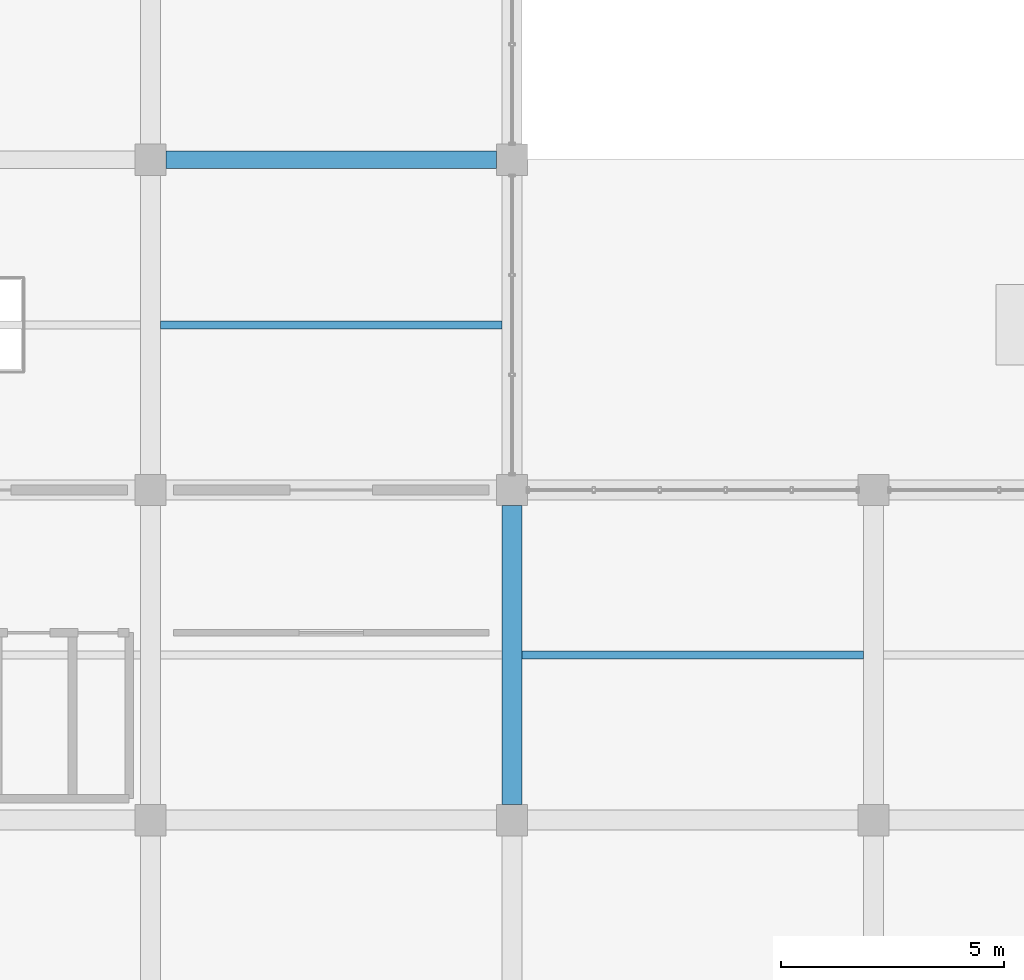
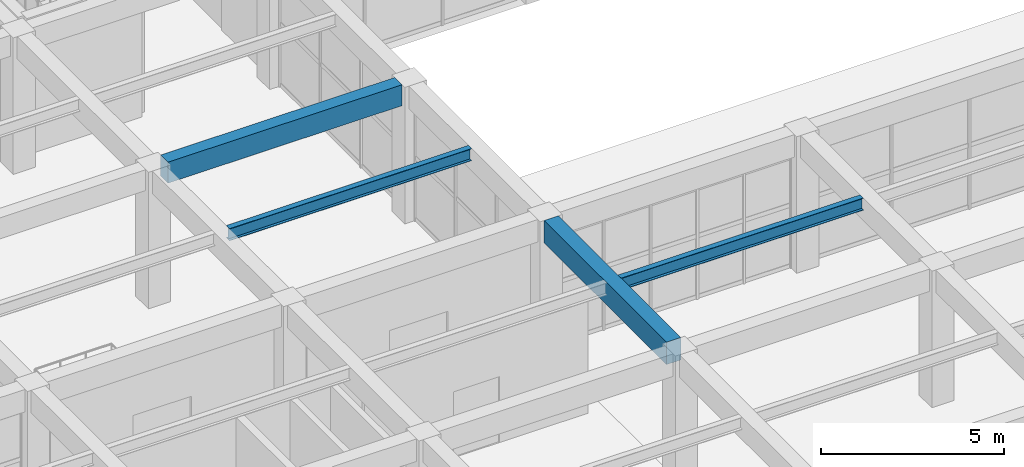
# One storey, part 21 of 161: 4 beams.
"""IFC4 building model written with IfcOpenShell, lengths in metres."""

from ifc_helpers import new_model, si_unit, direction, frame, origin, origin_2d, place, context, subcontext, project, spatial, rectangle, i_section, extrude, material, material_profile, profile_set, type_object, element, save


model = new_model("IFC4")

# Units and contexts
model_context = context("Model", 3, precision=1e-05, world=origin(), true_north=direction((0.0, 1.0)))
body_context = subcontext(model_context, "Body", "Model", "MODEL_VIEW")
ifc_project = project(units=[si_unit("LENGTHUNIT", "METRE"), si_unit("AREAUNIT", "SQUARE_METRE"), si_unit("VOLUMEUNIT", "CUBIC_METRE"), si_unit("PLANEANGLEUNIT", "RADIAN"), si_unit("MASSUNIT", "GRAM", prefix="KILO")], contexts=[model_context])

# Site, building, storey
site_placement = place(None, origin())
site = spatial("IfcSite", under=ifc_project, at=site_placement, CompositionType="ELEMENT")
building_placement = place(site_placement, origin())
building = spatial("IfcBuilding", under=site, at=building_placement, Name="Cimatlan Art Gallery", CompositionType="ELEMENT")
storey_placement = place(building_placement, frame((0.0, 0.0, 5.39990234375)))
storey = spatial("IfcBuildingStorey", under=building, at=storey_placement, Name="L01", CompositionType="ELEMENT", Elevation=5.39990234375)

# Beams
ifc_material_1 = material(Name="Concrete C40/50", Category="concrete")
ifc_material_profile_1 = material_profile(ifc_material_1, rectangle(XDim=0.39990234375, YDim=0.699951171875, at=origin_2d()), Name="RC400X700")
ifc_profile_set_1 = profile_set([ifc_material_profile_1], Name="Concrete C40/50")
beam_type_1 = type_object("IfcBeamType", Name="BM-RC-400X700", PredefinedType="BEAM", material=ifc_profile_set_1)
beam_1_placement = place(storey_placement, frame((42.85009765625, 46.10009765625, 4.210205078125), z_axis=(1.0, 0.0, 0.0), x_axis=(0.0, 1.0, 0.0)))
element("IfcBeam", 1, at=beam_1_placement, inside=storey, type_object=beam_type_1, Name="BM-X-L01-05-06", PredefinedType="BEAM", context=body_context, shape_type="SweptSolid", body=[
    extrude(rectangle(XDim=0.39990234375, YDim=0.699951171875, at=origin_2d()), origin(), (0.0, 0.0, 1.0), 7.39990234375),
])
ifc_material_profile_2 = material_profile(ifc_material_1, rectangle(XDim=0.449951171875, YDim=0.75, at=origin_2d()), Name="RC450X750")
ifc_profile_set_2 = profile_set([ifc_material_profile_2], Name="Concrete C40/50")
beam_type_2 = type_object("IfcBeamType", Name="BM-RC-450X750", PredefinedType="BEAM", material=ifc_profile_set_2)
beam_2_placement = place(storey_placement, frame((50.60009765625, 31.64990234375, 4.18505859375), z_axis=(0.0, 1.0, 0.0), x_axis=(-1.0, 0.0, 0.0)))
element("IfcBeam", 2, at=beam_2_placement, inside=storey, type_object=beam_type_2, Name="BM-Y-L01-06-04", PredefinedType="BEAM", context=body_context, shape_type="SweptSolid", body=[
    extrude(rectangle(XDim=0.449951171875, YDim=0.75, at=origin_2d()), origin(), (0.0, 0.0, 1.0), 6.7001953125),
])
ifc_material_2 = material(Name="Steel ASTM A992 Grade 50", Category="steel")
ifc_material_profile_3 = material_profile(ifc_material_2, i_section(OverallWidth=0.177978515625, OverallDepth=0.406982421875, WebThickness=0.0078125, FlangeThickness=0.0126953125, at=origin_2d()), Name="W16X40")
ifc_profile_set_3 = profile_set([ifc_material_profile_3], Name="Steel ASTM A992 Grade 50")
beam_type_3 = type_object("IfcBeamType", Name="BM-STL-W16X40", PredefinedType="JOIST", material=ifc_profile_set_3)
beam_3_placement = place(storey_placement, frame((42.72509765625, 42.39990234375, 4.356689453125), z_axis=(1.0, 0.0, 0.0), x_axis=(0.0, 1.0, 0.0)))
element("IfcBeam", 3, at=beam_3_placement, inside=storey, type_object=beam_type_3, Name="JST-L01-05-05", PredefinedType="JOIST", context=body_context, shape_type="SweptSolid", body=[
    extrude(i_section(OverallWidth=0.177978515625, OverallDepth=0.406982421875, WebThickness=0.0078125, FlangeThickness=0.0126953125, at=origin_2d()), origin(), (0.0, 0.0, 1.0), 7.64990234375),
])
beam_4_placement = place(storey_placement, frame((50.824951171875, 35.0, 4.356689453125), z_axis=(1.0, 0.0, 0.0), x_axis=(0.0, 1.0, 0.0)))
element("IfcBeam", 4, at=beam_4_placement, inside=storey, type_object=beam_type_3, Name="JST-L01-06-04", PredefinedType="JOIST", context=body_context, shape_type="SweptSolid", body=[
    extrude(i_section(OverallWidth=0.177978515625, OverallDepth=0.406982421875, WebThickness=0.0078125, FlangeThickness=0.0126953125, at=origin_2d()), origin(), (0.0, 0.0, 1.0), 7.650146484375),
])

save(model, "model.ifc")
